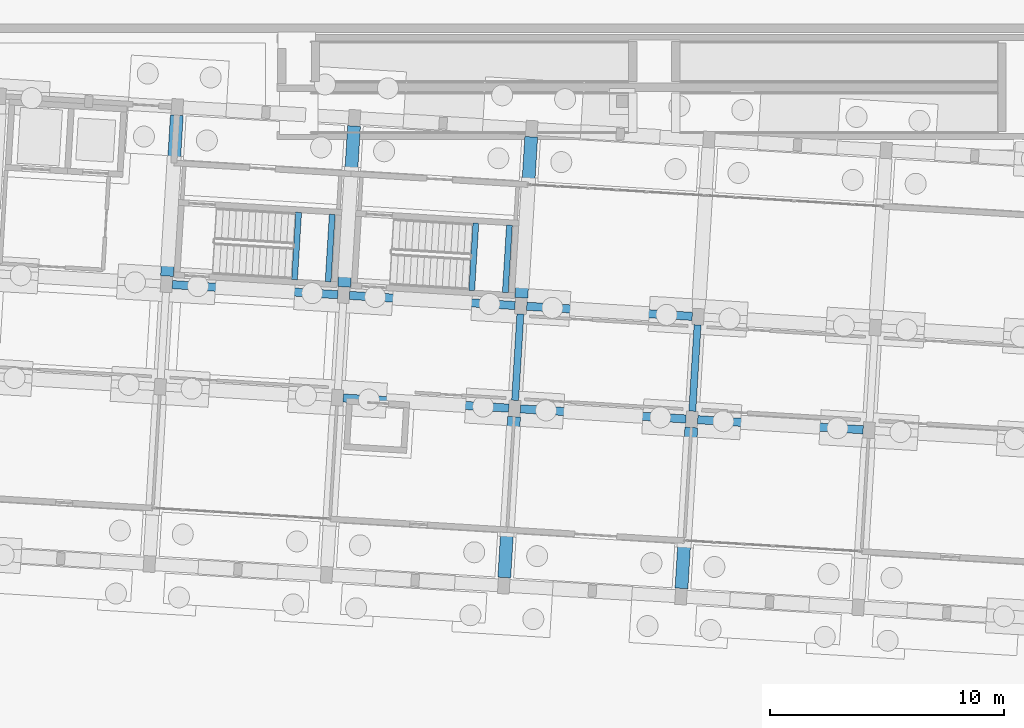
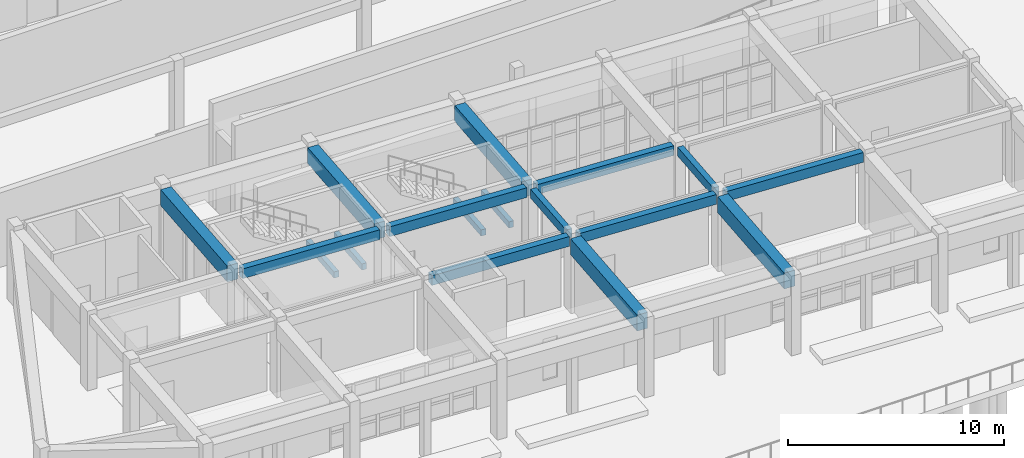
# One storey, part 50 of 154: 17 beams.
"""IFC4 building model written with IfcOpenShell, lengths in metres."""

from ifc_helpers import new_model, si_unit, direction, frame, origin, origin_2d, place, context, subcontext, project, spatial, rectangle, extrude, material, material_profile, profile_set, type_object, element, save


model = new_model("IFC4")

# Units and contexts
model_context = context("Model", 3, precision=1e-05, world=origin(), true_north=direction((0.0, 1.0)))
body_context = subcontext(model_context, "Body", "Model", "MODEL_VIEW")
ifc_project = project(units=[si_unit("LENGTHUNIT", "METRE"), si_unit("AREAUNIT", "SQUARE_METRE"), si_unit("VOLUMEUNIT", "CUBIC_METRE"), si_unit("PLANEANGLEUNIT", "RADIAN"), si_unit("MASSUNIT", "GRAM", prefix="KILO")], contexts=[model_context])

# Site, building, storey
site_placement = place(None, origin())
site = spatial("IfcSite", under=ifc_project, at=site_placement, CompositionType="ELEMENT")
building_placement = place(site_placement, origin())
building = spatial("IfcBuilding", under=site, at=building_placement, Name="Kestramere Prow Commons", CompositionType="ELEMENT")
storey_placement = place(building_placement, origin())
storey = spatial("IfcBuildingStorey", under=building, at=storey_placement, Name="L00", CompositionType="ELEMENT", Elevation=0.0)

# Beams
ifc_material_1 = material(Name="Precast concrete C40/50", Category="concrete")
ifc_material_profile_1 = material_profile(ifc_material_1, rectangle(XDim=0.35009765625, YDim=0.550048828125, at=origin_2d()), Name="PC-BM 350x550")
ifc_profile_set_1 = profile_set([ifc_material_profile_1], Name="Precast concrete C40/50")
beam_type_1 = type_object("IfcBeamType", Name="BM-C1 PC-BM 350x550", PredefinedType="BEAM", material=ifc_profile_set_1)
for number, where, z_axis, x_axis, name in (
    (1, (75.38525390625, 53.142578125, 3.97509765625), (0.998135568114, -0.061035953884, 0.0), (0.061035953884, 0.998135568114, 0.0), "Block C L00 Longitudinal Beam 2-3"),
    (2, (82.970947265625, 52.6787109375, 3.97509765625), (0.998133472633, -0.061070212127, 0.0), (0.061070212127, 0.998133472633, 0.0), "Block C L00 Longitudinal Beam 2-4"),
    (3, (90.556884765625, 52.214599609375, 3.97509765625), (0.998135568114, -0.061035953884, 0.0), (0.061035953884, 0.998135568114, 0.0), "Block C L00 Longitudinal Beam 2-5"),
):
    element("IfcBeam", number, at=place(storey_placement, frame(where, z_axis=z_axis, x_axis=x_axis)), inside=storey, type_object=beam_type_1, Name=name, PredefinedType="BEAM", context=body_context, shape_type="SweptSolid", body=[
        extrude(rectangle(XDim=0.35009765625, YDim=0.550048828125, at=origin_2d()), origin(), (0.0, 0.0, 1.0), 7.099853515625),
    ])
beam_1_placement = place(storey_placement, frame((68.06787109375, 57.998291015625, 3.97509765625), z_axis=(0.99813569621, -0.061033859059, 0.0), x_axis=(0.061033859059, 0.99813569621, 0.0)))
element("IfcBeam", 4, at=beam_1_placement, inside=storey, type_object=beam_type_1, Name="Block C L00 Longitudinal Beam 3-2", PredefinedType="BEAM", context=body_context, shape_type="SweptSolid", body=[
    extrude(rectangle(XDim=0.35009765625, YDim=0.550048828125, at=origin_2d()), origin(), (0.0, 0.0, 1.0), 7.10009765625),
])
beam_2_placement = place(storey_placement, frame((75.65380859375, 57.534423828125, 3.97509765625), z_axis=(0.998135568114, -0.061035953884, 0.0), x_axis=(0.061035953884, 0.998135568114, 0.0)))
element("IfcBeam", 5, at=beam_2_placement, inside=storey, type_object=beam_type_1, Name="Block C L00 Longitudinal Beam 3-3", PredefinedType="BEAM", context=body_context, shape_type="SweptSolid", body=[
    extrude(rectangle(XDim=0.35009765625, YDim=0.550048828125, at=origin_2d()), origin(), (0.0, 0.0, 1.0), 7.099853515625),
])
beam_3_placement = place(storey_placement, frame((83.239501953125, 57.070556640625, 3.97509765625), z_axis=(0.998133600873, -0.061068116134, 0.0), x_axis=(0.061068116134, 0.998133600873, 0.0)))
element("IfcBeam", 6, at=beam_3_placement, inside=storey, type_object=beam_type_1, Name="Block C L00 Longitudinal Beam 3-4", PredefinedType="BEAM", context=body_context, shape_type="SweptSolid", body=[
    extrude(rectangle(XDim=0.35009765625, YDim=0.550048828125, at=origin_2d()), origin(), (0.0, 0.0, 1.0), 7.10009765625),
])
ifc_material_2 = material(Name="Concrete C40/50", Category="concrete")
ifc_material_profile_2 = material_profile(ifc_material_2, rectangle(XDim=0.25, YDim=0.35009765625, at=origin_2d()), Name="PC-BM 250x350")
ifc_profile_set_2 = profile_set([ifc_material_profile_2], Name="Concrete C40/50")
beam_type_2 = type_object("IfcBeamType", Name="BM-ST-TRIM", PredefinedType="BEAM", material=ifc_profile_set_2)
for number, where, z_axis, x_axis, name in (
    (7, (73.300537109375, 58.209228515625, 1.875), (0.061073995712, 0.99813324113, 0.0), (-0.99813324113, 0.061073995712, 0.0), "ST-C1 L00 Landing Trimmer Beam 1A"),
    (8, (74.73779296875, 58.121337890625, 1.875), (0.061073995712, 0.99813324113, 0.0), (-0.99813324113, 0.061073995712, 0.0), "ST-C1 L00 Landing Trimmer Beam 1B"),
):
    element("IfcBeam", number, at=place(storey_placement, frame(where, z_axis=z_axis, x_axis=x_axis)), inside=storey, type_object=beam_type_2, Name=name, PredefinedType="BEAM", context=body_context, shape_type="SweptSolid", body=[
        extrude(rectangle(XDim=0.25, YDim=0.35009765625, at=origin_2d()), origin(), (0.0, 0.0, 1.0), 2.89013671875),
    ])
for number, where, z_axis, x_axis, name in (
    (9, (80.886474609375, 57.745361328125, 1.875), (0.06099497999, 0.998138072822, 0.0), (-0.998138072822, 0.06099497999, 0.0), "ST-C2 L00 Landing Trimmer Beam 1A"),
    (10, (82.32373046875, 57.657470703125, 1.875), (0.06107914562, 0.998132926003, 0.0), (-0.998132926003, 0.06107914562, 0.0), "ST-C2 L00 Landing Trimmer Beam 1B"),
):
    element("IfcBeam", number, at=place(storey_placement, frame(where, z_axis=z_axis, x_axis=x_axis)), inside=storey, type_object=beam_type_2, Name=name, PredefinedType="BEAM", context=body_context, shape_type="SweptSolid", body=[
        extrude(rectangle(XDim=0.25, YDim=0.35009765625, at=origin_2d()), origin(), (0.0, 0.0, 1.0), 2.889892578125),
    ])
ifc_material_profile_3 = material_profile(ifc_material_1, rectangle(XDim=0.300048828125, YDim=0.5, at=origin_2d()), Name="PC-BM 300x500")
ifc_profile_set_3 = profile_set([ifc_material_profile_3], Name="Precast concrete C40/50")
beam_type_3 = type_object("IfcBeamType", Name="BM-TIE-01 PC-BM 300x500", PredefinedType="BEAM", material=ifc_profile_set_3)
for number, where, z_axis, x_axis, name in (
    (11, (82.742919921875, 53.043212890625, 4.0), (0.061034934762, 0.998135630432, 0.0), (-0.998135630432, 0.061034934762, 0.0), "Block C L00 Transverse Beam 4-2"),
    (12, (90.32861328125, 52.579345703125, 4.0), (0.061034934762, 0.998135630432, 0.0), (-0.998135630432, 0.061034934762, 0.0), "Block C L00 Transverse Beam 5-2"),
):
    element("IfcBeam", number, at=place(storey_placement, frame(where, z_axis=z_axis, x_axis=x_axis)), inside=storey, type_object=beam_type_3, Name=name, PredefinedType="BEAM", context=body_context, shape_type="SweptSolid", body=[
        extrude(rectangle(XDim=0.300048828125, YDim=0.5, at=origin_2d()), origin(), (0.0, 0.0, 1.0), 3.699951171875),
    ])
ifc_material_profile_4 = material_profile(ifc_material_1, rectangle(XDim=0.550048828125, YDim=0.89990234375, at=origin_2d()), Name="PC-TG 550x900")
ifc_profile_set_4 = profile_set([ifc_material_profile_4], Name="Precast concrete C40/50")
beam_type_4 = type_object("IfcBeamType", Name="TG-01 PC-TG 550x900 (EX)", PredefinedType="BEAM", material=ifc_profile_set_4)
for number, where, z_axis, x_axis, name in (
    (13, (67.83984375, 58.363037109375, 3.800048828125), (0.061034526959, 0.998135655369, 0.0), (-0.998135655369, 0.061034526959, 0.0), "Block C L00 N Colonnade Transfer Girder 2"),
    (14, (75.425537109375, 57.89892578125, 3.800048828125), (0.061069777372, 0.998133499233, 0.0), (-0.998133499233, 0.061069777372, 0.0), "Block C L00 N Colonnade Transfer Girder 3"),
):
    element("IfcBeam", number, at=place(storey_placement, frame(where, z_axis=z_axis, x_axis=x_axis)), inside=storey, type_object=beam_type_4, Name=name, PredefinedType="BEAM", context=body_context, shape_type="SweptSolid", body=[
        extrude(rectangle(XDim=0.550048828125, YDim=0.89990234375, at=origin_2d()), origin(), (0.0, 0.0, 1.0), 6.900146484375),
    ])
beam_4_placement = place(storey_placement, frame((82.27880859375, 45.45751953125, 3.800048828125), z_axis=(0.061071934202, 0.998133367268, 0.0), x_axis=(-0.998133367268, 0.061071934202, 0.0)))
element("IfcBeam", 15, at=beam_4_placement, inside=storey, type_object=beam_type_4, Name="Block C L00 S Colonnade Transfer Girder 4", PredefinedType="BEAM", context=body_context, shape_type="SweptSolid", body=[
    extrude(rectangle(XDim=0.550048828125, YDim=0.89990234375, at=origin_2d()), origin(), (0.0, 0.0, 1.0), 6.89990234375),
])
for number, where, z_axis, x_axis, name in (
    (16, (83.011474609375, 57.43505859375, 3.800048828125), (0.061034526959, 0.998135655369, 0.0), (-0.998135655369, 0.061034526959, 0.0), "Block C L00 N Colonnade Transfer Girder 4"),
    (17, (89.86474609375, 44.993408203125, 3.800048828125), (0.061034526959, 0.998135655369, 0.0), (-0.998135655369, 0.061034526959, 0.0), "Block C L00 S Colonnade Transfer Girder 5"),
):
    element("IfcBeam", number, at=place(storey_placement, frame(where, z_axis=z_axis, x_axis=x_axis)), inside=storey, type_object=beam_type_4, Name=name, PredefinedType="BEAM", context=body_context, shape_type="SweptSolid", body=[
        extrude(rectangle(XDim=0.550048828125, YDim=0.89990234375, at=origin_2d()), origin(), (0.0, 0.0, 1.0), 6.900146484375),
    ])

save(model, "model.ifc")
